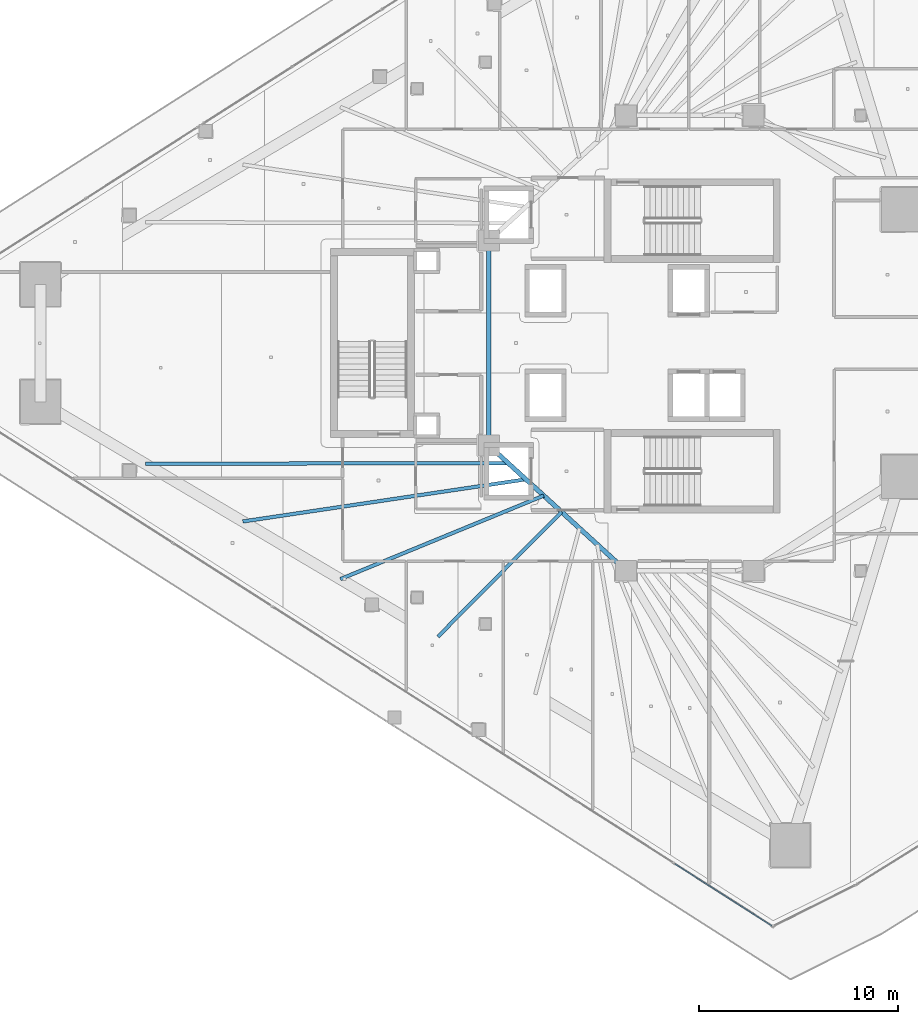
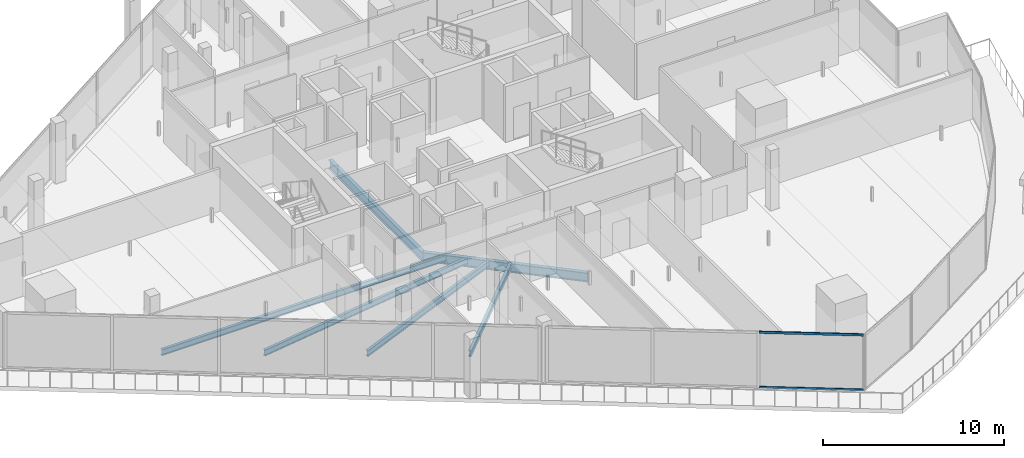
# One storey, part 7 of 39: 6 beams, 2 members, 1 element without a shape of its own.
"""IFC4 building model written with IfcOpenShell, lengths in metres."""

from ifc_helpers import new_model, si_unit, direction, frame, origin, origin_2d, place, context, subcontext, project, spatial, hollow_rectangle, i_section, extrude, material, layer, layer_set, material_profile, profile_set, type_object, element, aggregate, save


model = new_model("IFC4")

# Units and contexts
model_context = context("Model", 3, precision=1e-05, world=origin(), true_north=direction((0.0, 1.0)))
body_context = subcontext(model_context, "Body", "Model", "MODEL_VIEW")
ifc_project = project(units=[si_unit("LENGTHUNIT", "METRE"), si_unit("AREAUNIT", "SQUARE_METRE"), si_unit("VOLUMEUNIT", "CUBIC_METRE"), si_unit("PLANEANGLEUNIT", "RADIAN"), si_unit("MASSUNIT", "GRAM", prefix="KILO")], contexts=[model_context])

# Site, building, storey
site_placement = place(None, origin())
site = spatial("IfcSite", under=ifc_project, at=site_placement, CompositionType="ELEMENT")
building_placement = place(site_placement, origin())
building = spatial("IfcBuilding", under=site, at=building_placement, Name="Qorvath Tower", CompositionType="ELEMENT")
storey_placement = place(building_placement, frame((0.0, 0.0, 162.449951171875)))
storey = spatial("IfcBuildingStorey", under=building, at=storey_placement, Name="L37", CompositionType="ELEMENT", Elevation=162.449951171875)

# Beams
ifc_material_1 = material(Name="Steel ASTM A992 Grade 50", Category="steel")
ifc_material_profile_1 = material_profile(ifc_material_1, i_section(OverallWidth=0.22998046875, OverallDepth=0.616943359375, WebThickness=0.01318359375, FlangeThickness=0.022216796875, FilletRadius=0.014892578125, at=origin_2d()), Name="W24x94")
ifc_profile_set_1 = profile_set([ifc_material_profile_1], Name="Steel ASTM A992 Grade 50")
beam_type_1 = type_object("IfcBeamType", Name="BM-FG6", PredefinedType="BEAM", material=ifc_profile_set_1)
beam_1_placement = place(storey_placement, frame((-23.60009765625, -11.449951171875, -0.57861328125), z_axis=(-0.73847813985, 0.6742774184, 0.0), x_axis=(-0.6742774184, -0.73847813985, 0.0)))
element("IfcBeam", 1, at=beam_1_placement, inside=storey, type_object=beam_type_1, Name="Core Ring Girder CC4-CC6 L37", PredefinedType="BEAM", context=body_context, shape_type="SweptSolid", body=[
    extrude(i_section(OverallWidth=0.22998046875, OverallDepth=0.616943359375, WebThickness=0.01318359375, FlangeThickness=0.022216796875, FilletRadius=0.014892578125, at=origin_2d()), origin(), (0.0, 0.0, 1.0), 9.343505859375),
])
beam_2_placement = place(storey_placement, frame((-30.5, -5.14990234375, -0.57861328125), z_axis=(0.0, 1.0, 0.0), x_axis=(-1.0, 0.0, 0.0)))
element("IfcBeam", 2, at=beam_2_placement, inside=storey, type_object=beam_type_1, Name="Core Ring Girder CC6-CC5 L37", PredefinedType="BEAM", context=body_context, shape_type="SweptSolid", body=[
    extrude(i_section(OverallWidth=0.22998046875, OverallDepth=0.616943359375, WebThickness=0.01318359375, FlangeThickness=0.022216796875, FilletRadius=0.014892578125, at=origin_2d()), origin(), (0.0, 0.0, 1.0), 10.2998046875),
])
ifc_material_2 = material(Name="Steel ASTM A992 Grade 50", Category="steel")
ifc_material_profile_2 = material_profile(ifc_material_2, i_section(OverallWidth=0.177978515625, OverallDepth=0.406005859375, WebThickness=0.0078125, FlangeThickness=0.0126953125, FilletRadius=0.010986328125, at=origin_2d()), Name="W16x40")
ifc_profile_set_2 = profile_set([ifc_material_profile_2], Name="Steel ASTM A992 Grade 50")
beam_type_2 = type_object("IfcBeamType", Name="BM-FJ3", PredefinedType="JOIST", material=ifc_profile_set_2)
beam_3_placement = place(storey_placement, frame((-29.533935546875, -6.031982421875, -0.47314453125), z_axis=(-0.999997589883, -0.002195501951, 0.0), x_axis=(0.002195501951, -0.999997589883, 0.0)))
element("IfcBeam", 3, at=beam_3_placement, inside=storey, type_object=beam_type_2, Name="Composite Floor Joist SW1 L37", PredefinedType="JOIST", context=body_context, shape_type="SweptSolid", body=[
    extrude(i_section(OverallWidth=0.177978515625, OverallDepth=0.406005859375, WebThickness=0.0078125, FlangeThickness=0.0126953125, FilletRadius=0.010986328125, at=origin_2d()), origin(), (0.0, 0.0, 1.0), 18.23681640625),
])
beam_4_placement = place(storey_placement, frame((-28.636962890625, -6.85107421875, -0.47314453125), z_axis=(-0.989092860328, -0.147293291256, 0.0), x_axis=(0.147293291256, -0.989092860328, 0.0)))
element("IfcBeam", 4, at=beam_4_placement, inside=storey, type_object=beam_type_2, Name="Composite Floor Joist SW2 L37", PredefinedType="JOIST", context=body_context, shape_type="SweptSolid", body=[
    extrude(i_section(OverallWidth=0.177978515625, OverallDepth=0.406005859375, WebThickness=0.0078125, FlangeThickness=0.0126953125, FilletRadius=0.010986328125, at=origin_2d()), origin(), (0.0, 0.0, 1.0), 14.388916015625),
])
beam_5_placement = place(storey_placement, frame((-27.739990234375, -7.669921875, -0.47314453125), z_axis=(-0.925068176006, -0.379801092338, 0.0), x_axis=(0.379801092338, -0.925068176006, 0.0)))
element("IfcBeam", 5, at=beam_5_placement, inside=storey, type_object=beam_type_2, Name="Composite Floor Joist SW3 L37", PredefinedType="JOIST", context=body_context, shape_type="SweptSolid", body=[
    extrude(i_section(OverallWidth=0.177978515625, OverallDepth=0.406005859375, WebThickness=0.0078125, FlangeThickness=0.0126953125, FilletRadius=0.010986328125, at=origin_2d()), origin(), (0.0, 0.0, 1.0), 11.0556640625),
])
beam_6_placement = place(storey_placement, frame((-26.843017578125, -8.489013671875, -0.47314453125), z_axis=(-0.70395121362, -0.710248328997, 0.0), x_axis=(0.710248328997, -0.70395121362, 0.0)))
element("IfcBeam", 6, at=beam_6_placement, inside=storey, type_object=beam_type_2, Name="Composite Floor Joist SW4 L37", PredefinedType="JOIST", context=body_context, shape_type="SweptSolid", body=[
    extrude(i_section(OverallWidth=0.177978515625, OverallDepth=0.406005859375, WebThickness=0.0078125, FlangeThickness=0.0126953125, FilletRadius=0.010986328125, at=origin_2d()), origin(), (0.0, 0.0, 1.0), 8.839599609375),
])

# Curtain wall, members
ifc_material_3 = material(Name="Anodised aluminium and triple low-E glass", Category="aluminium")
ifc_layer = layer(ifc_material_3, 0.179931640625)
ifc_layer_set = layer_set([ifc_layer], Name="CW-SYS-3")
curtain_wall_type = type_object("IfcCurtainWallType", Name="CW-SYS-3", PredefinedType="NOTDEFINED", material=ifc_layer_set)
curtain_wall_placement = place(storey_placement, origin())
curtain_wall = element("IfcCurtainWall", 7, at=curtain_wall_placement, inside=storey, type_object=curtain_wall_type, Name="Curtain Wall CW-3 CW-T-L37-2.2", PredefinedType="NOTDEFINED")
ifc_material_4 = material(Name="Anodised aluminium 6063-T6", Category="aluminium")
ifc_material_profile_3 = material_profile(ifc_material_4, hollow_rectangle(XDim=0.06494140625, YDim=0.159912109375, WallThickness=0.00341796875, InnerFilletRadius=0.00341796875, OuterFilletRadius=0.007080078125, at=origin_2d()), Name="CWT 160x65")
ifc_profile_set_3 = profile_set([ifc_material_profile_3], Name="Anodised aluminium 6063-T6")
member_type = type_object("IfcMemberType", Name="CWT-160", PredefinedType="USERDEFINED", material=ifc_profile_set_3)
member_1_placement = place(storey_placement, frame((-21.151123046875, -26.18408203125, 0.032470703125), z_axis=(0.842594665746, -0.538548260843, 0.0), x_axis=(0.538548260843, 0.842594665746, 0.0)))
member_1 = element("IfcMember", 8, at=member_1_placement, type_object=member_type, Name="CW-3 transom 3.1", ObjectType="TRANSOM", PredefinedType="USERDEFINED", context=body_context, shape_type="SweptSolid", body=[
    extrude(hollow_rectangle(XDim=0.06494140625, YDim=0.159912109375, WallThickness=0.00341796875, InnerFilletRadius=0.00341796875, OuterFilletRadius=0.007080078125, at=origin_2d()), origin(), (0.0, 0.0, 1.0), 5.785400390625),
])
member_2_placement = place(storey_placement, frame((-21.151123046875, -26.18408203125, 3.74755859375), z_axis=(0.842594665746, -0.538548260843, 0.0), x_axis=(0.538548260843, 0.842594665746, 0.0)))
member_2 = element("IfcMember", 9, at=member_2_placement, type_object=member_type, Name="CW-3 transom 3.2", ObjectType="TRANSOM", PredefinedType="USERDEFINED", context=body_context, shape_type="SweptSolid", body=[
    extrude(hollow_rectangle(XDim=0.06494140625, YDim=0.159912109375, WallThickness=0.00341796875, InnerFilletRadius=0.00341796875, OuterFilletRadius=0.007080078125, at=origin_2d()), origin(), (0.0, 0.0, 1.0), 5.785400390625),
])
aggregate(curtain_wall, [member_1, member_2])

save(model, "model.ifc")
